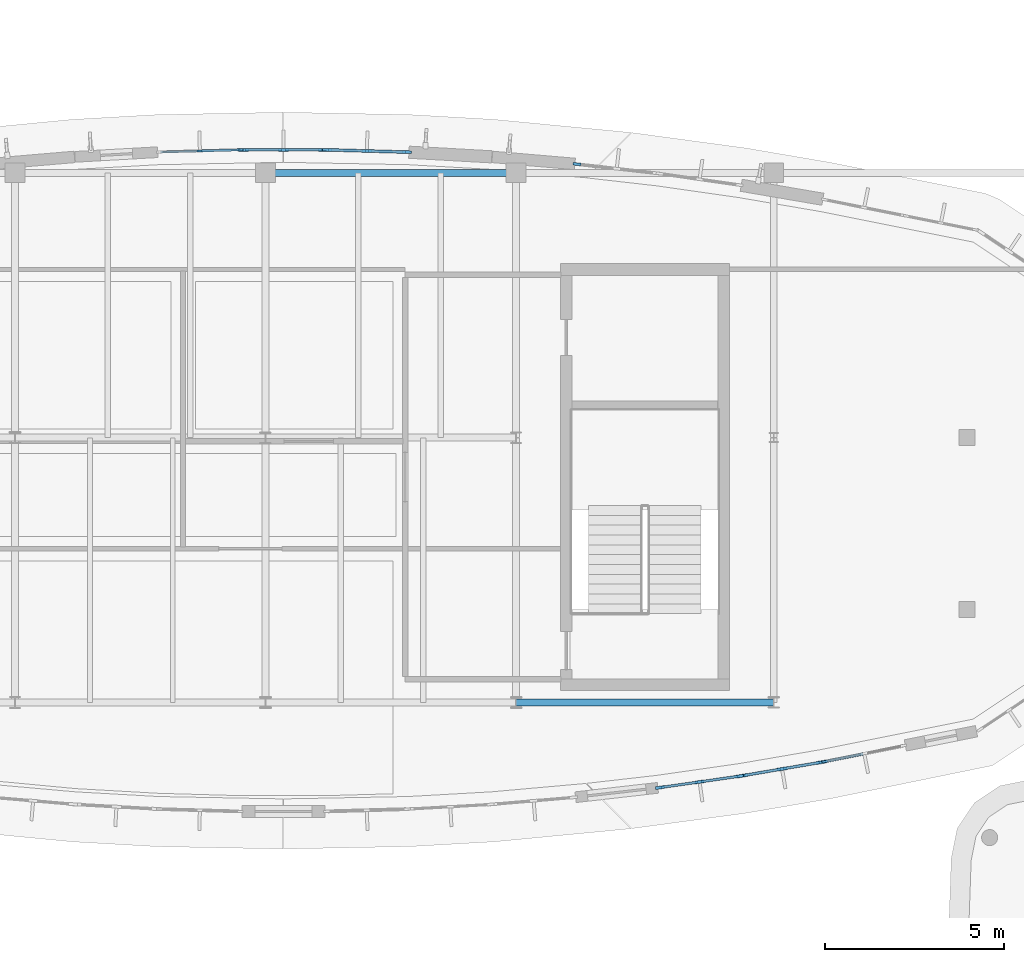
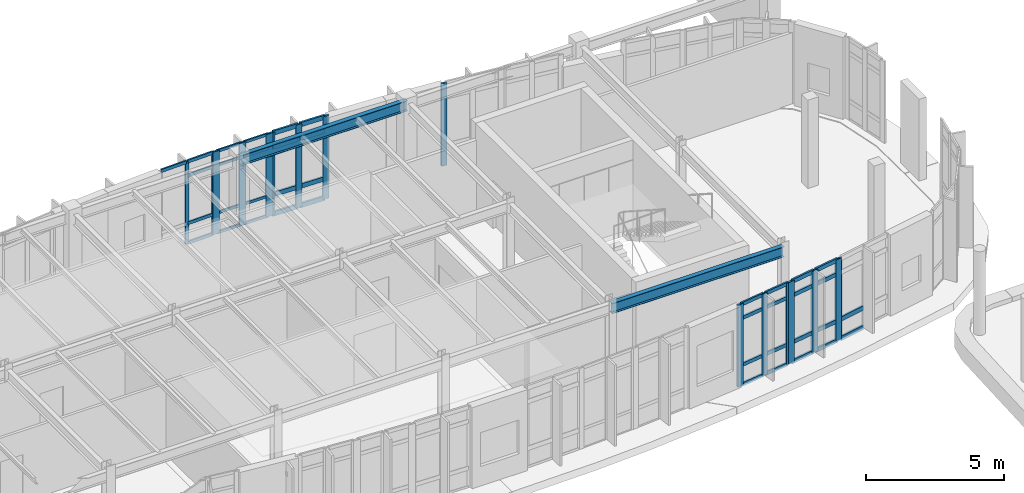
# One storey, part 38 of 111: 55 members, 2 beams, 7 elements without a shape of their own.
"""IFC4 building model written with IfcOpenShell, lengths in metres."""

from ifc_helpers import new_model, si_unit, direction, frame, origin, origin_2d, place, context, subcontext, project, spatial, rectangle, i_section, extrude, material, material_profile, profile_set, type_object, element, aggregate, save


model = new_model("IFC4")

# Units and contexts
model_context = context("Model", 3, precision=1e-05, world=origin(), true_north=direction((0.0, 1.0)))
body_context = subcontext(model_context, "Body", "Model", "MODEL_VIEW")
ifc_project = project(units=[si_unit("LENGTHUNIT", "METRE"), si_unit("AREAUNIT", "SQUARE_METRE"), si_unit("VOLUMEUNIT", "CUBIC_METRE"), si_unit("PLANEANGLEUNIT", "RADIAN"), si_unit("MASSUNIT", "GRAM", prefix="KILO")], contexts=[model_context])

# Site, building, storey
site_placement = place(None, origin())
site = spatial("IfcSite", under=ifc_project, at=site_placement, CompositionType="ELEMENT")
building_placement = place(site_placement, origin())
building = spatial("IfcBuilding", under=site, at=building_placement, Name="Corveleigh Park Community Centre", CompositionType="ELEMENT")
storey_placement = place(building_placement, frame((0.0, 0.0, 4.800048828125)))
storey = spatial("IfcBuildingStorey", under=building, at=storey_placement, Name="L01", CompositionType="ELEMENT", Elevation=4.800048828125)

# Beams
ifc_material_1 = material(Name="Steel S355", Category="steel")
ifc_material_profile_1 = material_profile(ifc_material_1, i_section(OverallWidth=0.19140625, OverallDepth=0.4599609375, WebThickness=0.010009765625, FlangeThickness=0.01611328125, at=origin_2d()), Name="UKB 457x191x82", Category="steel")
ifc_profile_set_1 = profile_set([ifc_material_profile_1], Name="Steel S355")
beam_type = type_object("IfcBeamType", Name="BM-STL-UKB457x82", PredefinedType="BEAM", material=ifc_profile_set_1)
beam_1_placement = place(storey_placement, frame((39.205078125, 78.0, 3.427001953125), z_axis=(1.0, 0.0, 0.0), x_axis=(0.0, 1.0, 0.0)))
element("IfcBeam", 1, at=beam_1_placement, inside=storey, type_object=beam_type, Name="V2 Studio Girder X", PredefinedType="BEAM", context=body_context, shape_type="SweptSolid", body=[
    extrude(i_section(OverallWidth=0.19140625, OverallDepth=0.4599609375, WebThickness=0.010009765625, FlangeThickness=0.01611328125, at=origin_2d()), origin(), (0.0, 0.0, 1.0), 7.18994140625),
])
beam_2_placement = place(storey_placement, frame((32.205078125, 92.800048828125, 3.427001953125), z_axis=(1.0, 0.0, 0.0), x_axis=(0.0, 1.0, 0.0)))
element("IfcBeam", 2, at=beam_2_placement, inside=storey, type_object=beam_type, Name="V2 Studio Girder X", PredefinedType="BEAM", context=body_context, shape_type="SweptSolid", body=[
    extrude(i_section(OverallWidth=0.19140625, OverallDepth=0.4599609375, WebThickness=0.010009765625, FlangeThickness=0.01611328125, at=origin_2d()), origin(), (0.0, 0.0, 1.0), 6.989990234375),
])

# Curtain wall, member
ifc_material_2 = material(Name="Anodised aluminium 6063-T6", Category="aluminium")
curtain_wall_type = type_object("IfcCurtainWallType", Name="CW-SYS-V2-HALL", PredefinedType="NOTDEFINED", material=ifc_material_2)
curtain_wall_1_placement = place(storey_placement, origin())
curtain_wall_1 = element("IfcCurtainWall", 3, at=curtain_wall_1_placement, inside=storey, type_object=curtain_wall_type, Name="V2 L01 Curtain Wall 205", PredefinedType="NOTDEFINED")
ifc_material_profile_2 = material_profile(ifc_material_2, rectangle(XDim=0.06005859375, YDim=0.159912109375, at=origin_2d()), Name="ALU-M60x160", Category="aluminium")
ifc_profile_set_2 = profile_set([ifc_material_profile_2], Name="Anodised aluminium 6063-T6")
member_type_1 = type_object("IfcMemberType", Name="CWM-60x160", PredefinedType="MULLION", material=ifc_profile_set_2)
member_1_placement = place(storey_placement, frame((47.822509765625, 76.347900390625, 0.0), z_axis=(0.0, 0.0, 1.0), x_axis=(0.197111378544, -0.980381101638, 0.0)))
member_1 = element("IfcMember", 4, at=member_1_placement, type_object=member_type_1, Name="CW04 mullion 3", PredefinedType="MULLION", context=body_context, shape_type="SweptSolid", body=[
    extrude(rectangle(XDim=0.06005859375, YDim=0.159912109375, at=origin_2d()), origin(), (0.0, 0.0, 1.0), 3.619873046875),
])

# Curtain wall, members
curtain_wall_2_placement = place(storey_placement, origin())
curtain_wall_2 = element("IfcCurtainWall", 5, at=curtain_wall_2_placement, inside=storey, type_object=curtain_wall_type, Name="V2 L01 Curtain Wall 217", PredefinedType="NOTDEFINED")
member_2_placement = place(storey_placement, frame((30.366455078125, 93.410888671875, 0.0), z_axis=(0.0, 0.0, 1.0), x_axis=(-0.028498139871, 0.999593845531, 0.0)))
member_2 = element("IfcMember", 6, at=member_2_placement, type_object=member_type_1, Name="CW04 mullion 2", PredefinedType="MULLION", context=body_context, shape_type="SweptSolid", body=[
    extrude(rectangle(XDim=0.06005859375, YDim=0.159912109375, at=origin_2d()), origin(), (0.0, 0.0, 1.0), 3.656982421875),
])
member_3_placement = place(storey_placement, frame((31.493896484375, 93.443115234375, 0.0), z_axis=(0.0, 0.0, 1.0), x_axis=(-0.028498139871, 0.999593845531, 0.0)))
member_3 = element("IfcMember", 7, at=member_3_placement, type_object=member_type_1, Name="CW04 mullion 3", PredefinedType="MULLION", context=body_context, shape_type="SweptSolid", body=[
    extrude(rectangle(XDim=0.06005859375, YDim=0.159912109375, at=origin_2d()), origin(), (0.0, 0.0, 1.0), 3.656982421875),
])

# Curtain wall, member
curtain_wall_3_placement = place(storey_placement, origin())
curtain_wall_3 = element("IfcCurtainWall", 8, at=curtain_wall_3_placement, inside=storey, type_object=curtain_wall_type, Name="V2 L01 Curtain Wall 214", PredefinedType="NOTDEFINED")
ifc_material_profile_3 = material_profile(ifc_material_2, rectangle(XDim=0.074951171875, YDim=0.219970703125, at=origin_2d()), Name="ALU-M75x220", Category="aluminium")
ifc_profile_set_3 = profile_set([ifc_material_profile_3], Name="Anodised aluminium 6063-T6")
member_type_2 = type_object("IfcMemberType", Name="CWM-75x220", PredefinedType="MULLION", material=ifc_profile_set_3)
member_4_placement = place(storey_placement, frame((40.9013671875, 93.042724609375, 0.0), z_axis=(0.0, 0.0, 1.0), x_axis=(0.113132523128, 0.99357990731, 0.0)))
member_4 = element("IfcMember", 9, at=member_4_placement, type_object=member_type_2, Name="CW04 mullion 1", PredefinedType="MULLION", context=body_context, shape_type="SweptSolid", body=[
    extrude(rectangle(XDim=0.074951171875, YDim=0.219970703125, at=origin_2d()), origin(), (0.0, 0.0, 1.0), 3.656982421875),
])
aggregate(curtain_wall_3, [member_4])

# Curtain wall, members
curtain_wall_4_placement = place(storey_placement, origin())
curtain_wall_4 = element("IfcCurtainWall", 10, at=curtain_wall_4_placement, inside=storey, type_object=curtain_wall_type, Name="V2 L01 Curtain Wall 203", PredefinedType="NOTDEFINED")
ifc_material_profile_4 = material_profile(ifc_material_2, rectangle(XDim=0.080078125, YDim=0.25, at=origin_2d()), Name="ALU-M80x250", Category="aluminium")
ifc_profile_set_4 = profile_set([ifc_material_profile_4], Name="Anodised aluminium 6063-T6")
member_type_3 = type_object("IfcMemberType", Name="CWM-80x250", PredefinedType="MULLION", material=ifc_profile_set_4)
member_5_placement = place(storey_placement, frame((45.435302734375, 75.939453125, 0.0), z_axis=(0.0, 0.0, 1.0), x_axis=(0.141663216042, -0.989914912111, 0.0)))
member_5 = element("IfcMember", 11, at=member_5_placement, type_object=member_type_3, Name="CW04 mullion 1", PredefinedType="MULLION", context=body_context, shape_type="SweptSolid", body=[
    extrude(rectangle(XDim=0.080078125, YDim=0.25, at=origin_2d()), origin(), (0.0, 0.0, 1.0), 3.619873046875),
])
member_6_placement = place(storey_placement, frame((44.3291015625, 75.781005859375, 0.0), z_axis=(0.0, 0.0, 1.0), x_axis=(0.141663216042, -0.989914912111, 0.0)))
member_6 = element("IfcMember", 12, at=member_6_placement, type_object=member_type_3, Name="CW04 mullion 2", PredefinedType="MULLION", context=body_context, shape_type="SweptSolid", body=[
    extrude(rectangle(XDim=0.080078125, YDim=0.25, at=origin_2d()), origin(), (0.0, 0.0, 1.0), 3.619873046875),
])
member_7_placement = place(storey_placement, frame((43.22265625, 75.62255859375, 0.0), z_axis=(0.0, 0.0, 1.0), x_axis=(0.141663216042, -0.989914912111, 0.0)))
member_7 = element("IfcMember", 13, at=member_7_placement, type_object=member_type_3, Name="CW04 mullion 3", PredefinedType="MULLION", context=body_context, shape_type="SweptSolid", body=[
    extrude(rectangle(XDim=0.080078125, YDim=0.25, at=origin_2d()), origin(), (0.0, 0.0, 1.0), 3.619873046875),
])

curtain_wall_5_placement = place(storey_placement, origin())
curtain_wall_5 = element("IfcCurtainWall", 14, at=curtain_wall_5_placement, inside=storey, type_object=curtain_wall_type, Name="V2 L01 Curtain Wall 215", PredefinedType="NOTDEFINED")
member_8_placement = place(storey_placement, frame((33.916015625, 93.44287109375, 0.0), z_axis=(0.0, 0.0, 1.0), x_axis=(0.028498139871, 0.999593845531, 0.0)))
member_8 = element("IfcMember", 15, at=member_8_placement, type_object=member_type_3, Name="CW04 mullion 1", PredefinedType="MULLION", context=body_context, shape_type="SweptSolid", body=[
    extrude(rectangle(XDim=0.080078125, YDim=0.25, at=origin_2d()), origin(), (0.0, 0.0, 1.0), 3.656982421875),
])
member_9_placement = place(storey_placement, frame((35.033447265625, 93.410888671875, 0.0), z_axis=(0.0, 0.0, 1.0), x_axis=(0.028498139871, 0.999593845531, 0.0)))
member_9 = element("IfcMember", 16, at=member_9_placement, type_object=member_type_3, Name="CW04 mullion 2", PredefinedType="MULLION", context=body_context, shape_type="SweptSolid", body=[
    extrude(rectangle(XDim=0.080078125, YDim=0.25, at=origin_2d()), origin(), (0.0, 0.0, 1.0), 3.656982421875),
])
member_10_placement = place(storey_placement, frame((36.151123046875, 93.379150390625, 0.0), z_axis=(0.0, 0.0, 1.0), x_axis=(0.028498139871, 0.999593845531, 0.0)))
member_10 = element("IfcMember", 17, at=member_10_placement, type_object=member_type_3, Name="CW04 mullion 3", PredefinedType="MULLION", context=body_context, shape_type="SweptSolid", body=[
    extrude(rectangle(XDim=0.080078125, YDim=0.25, at=origin_2d()), origin(), (0.0, 0.0, 1.0), 3.656982421875),
])

curtain_wall_6_placement = place(storey_placement, origin())
curtain_wall_6 = element("IfcCurtainWall", 18, at=curtain_wall_6_placement, inside=storey, type_object=curtain_wall_type, Name="V2 L01 Curtain Wall 204", PredefinedType="NOTDEFINED")
ifc_material_profile_5 = material_profile(ifc_material_2, rectangle(XDim=0.0849609375, YDim=0.27490234375, at=origin_2d()), Name="ALU-M85x275", Category="aluminium")
ifc_profile_set_5 = profile_set([ifc_material_profile_5], Name="Anodised aluminium 6063-T6")
member_type_4 = type_object("IfcMemberType", Name="CWM-85x275", PredefinedType="MULLION", material=ifc_profile_set_5)
member_11_placement = place(storey_placement, frame((47.733154296875, 76.330810546875, 0.0), z_axis=(0.0, 0.0, 1.0), x_axis=(0.16846025177, -0.985708447551, 0.0)))
member_11 = element("IfcMember", 19, at=member_11_placement, type_object=member_type_4, Name="CW04 mullion 1", PredefinedType="MULLION", context=body_context, shape_type="SweptSolid", body=[
    extrude(rectangle(XDim=0.0849609375, YDim=0.27490234375, at=origin_2d()), origin(), (0.0, 0.0, 1.0), 3.619873046875),
])
member_12_placement = place(storey_placement, frame((46.634033203125, 76.14306640625, 0.0), z_axis=(0.0, 0.0, 1.0), x_axis=(0.16846025177, -0.985708447551, 0.0)))
member_12 = element("IfcMember", 20, at=member_12_placement, type_object=member_type_4, Name="CW04 mullion 2", PredefinedType="MULLION", context=body_context, shape_type="SweptSolid", body=[
    extrude(rectangle(XDim=0.0849609375, YDim=0.27490234375, at=origin_2d()), origin(), (0.0, 0.0, 1.0), 3.619873046875),
])
member_13_placement = place(storey_placement, frame((45.534912109375, 75.955078125, 0.0), z_axis=(0.0, 0.0, 1.0), x_axis=(0.16846025177, -0.985708447551, 0.0)))
member_13 = element("IfcMember", 21, at=member_13_placement, type_object=member_type_4, Name="CW04 mullion 3", PredefinedType="MULLION", context=body_context, shape_type="SweptSolid", body=[
    extrude(rectangle(XDim=0.0849609375, YDim=0.27490234375, at=origin_2d()), origin(), (0.0, 0.0, 1.0), 3.619873046875),
])

curtain_wall_7_placement = place(storey_placement, origin())
curtain_wall_7 = element("IfcCurtainWall", 22, at=curtain_wall_7_placement, inside=storey, type_object=curtain_wall_type, Name="V2 L01 Curtain Wall 216", PredefinedType="NOTDEFINED")
member_14_placement = place(storey_placement, frame((31.58447265625, 93.444091796875, 0.0), z_axis=(0.0, 0.0, 1.0), x_axis=(0.0, 1.0, 0.0)))
member_14 = element("IfcMember", 23, at=member_14_placement, type_object=member_type_4, Name="CW04 mullion 1", PredefinedType="MULLION", context=body_context, shape_type="SweptSolid", body=[
    extrude(rectangle(XDim=0.0849609375, YDim=0.27490234375, at=origin_2d()), origin(), (0.0, 0.0, 1.0), 3.656982421875),
])
member_15_placement = place(storey_placement, frame((32.699951171875, 93.444091796875, 0.0), z_axis=(0.0, 0.0, 1.0), x_axis=(0.0, 1.0, 0.0)))
member_15 = element("IfcMember", 24, at=member_15_placement, type_object=member_type_4, Name="CW04 mullion 2", PredefinedType="MULLION", context=body_context, shape_type="SweptSolid", body=[
    extrude(rectangle(XDim=0.0849609375, YDim=0.27490234375, at=origin_2d()), origin(), (0.0, 0.0, 1.0), 3.656982421875),
])
member_16_placement = place(storey_placement, frame((33.8154296875, 93.444091796875, 0.0), z_axis=(0.0, 0.0, 1.0), x_axis=(0.0, 1.0, 0.0)))
member_16 = element("IfcMember", 25, at=member_16_placement, type_object=member_type_4, Name="CW04 mullion 3", PredefinedType="MULLION", context=body_context, shape_type="SweptSolid", body=[
    extrude(rectangle(XDim=0.0849609375, YDim=0.27490234375, at=origin_2d()), origin(), (0.0, 0.0, 1.0), 3.656982421875),
])
ifc_material_profile_6 = material_profile(ifc_material_2, rectangle(XDim=0.06005859375, YDim=0.1201171875, at=origin_2d()), Name="ALU-T60x120", Category="aluminium")
ifc_profile_set_6 = profile_set([ifc_material_profile_6], Name="Anodised aluminium 6063-T6")
member_type_5 = type_object("IfcMemberType", Name="CWT-60x120", PredefinedType="USERDEFINED", material=ifc_profile_set_6)
member_17_placement = place(storey_placement, frame((31.626953125, 93.444091796875, 0.030029296875), z_axis=(1.0, 0.0, 0.0), x_axis=(0.0, 1.0, 0.0)))
member_17 = element("IfcMember", 26, at=member_17_placement, type_object=member_type_5, Name="CW04 transom 1.1", ObjectType="TRANSOM", PredefinedType="USERDEFINED", context=body_context, shape_type="SweptSolid", body=[
    extrude(rectangle(XDim=0.06005859375, YDim=0.1201171875, at=origin_2d()), origin(), (0.0, 0.0, 1.0), 1.030517578125),
])
member_18_placement = place(storey_placement, frame((31.626953125, 93.444091796875, 0.89990234375), z_axis=(1.0, 0.0, 0.0), x_axis=(0.0, 1.0, 0.0)))
member_18 = element("IfcMember", 27, at=member_18_placement, type_object=member_type_5, Name="CW04 transom 1.2", ObjectType="TRANSOM", PredefinedType="USERDEFINED", context=body_context, shape_type="SweptSolid", body=[
    extrude(rectangle(XDim=0.06005859375, YDim=0.1201171875, at=origin_2d()), origin(), (0.0, 0.0, 1.0), 1.030517578125),
])
member_19_placement = place(storey_placement, frame((31.626953125, 93.444091796875, 3.0068359375), z_axis=(1.0, 0.0, 0.0), x_axis=(0.0, 1.0, 0.0)))
member_19 = element("IfcMember", 28, at=member_19_placement, type_object=member_type_5, Name="CW04 transom 1.3", ObjectType="TRANSOM", PredefinedType="USERDEFINED", context=body_context, shape_type="SweptSolid", body=[
    extrude(rectangle(XDim=0.06005859375, YDim=0.1201171875, at=origin_2d()), origin(), (0.0, 0.0, 1.0), 1.030517578125),
])
member_20_placement = place(storey_placement, frame((31.626953125, 93.444091796875, 3.626953125), z_axis=(1.0, 0.0, 0.0), x_axis=(0.0, 1.0, 0.0)))
member_20 = element("IfcMember", 29, at=member_20_placement, type_object=member_type_5, Name="CW04 transom 1.4", ObjectType="TRANSOM", PredefinedType="USERDEFINED", context=body_context, shape_type="SweptSolid", body=[
    extrude(rectangle(XDim=0.06005859375, YDim=0.1201171875, at=origin_2d()), origin(), (0.0, 0.0, 1.0), 1.030517578125),
])
member_21_placement = place(storey_placement, frame((32.742431640625, 93.444091796875, 0.030029296875), z_axis=(1.0, 0.0, 0.0), x_axis=(0.0, 1.0, 0.0)))
member_21 = element("IfcMember", 30, at=member_21_placement, type_object=member_type_5, Name="CW04 transom 2.1", ObjectType="TRANSOM", PredefinedType="USERDEFINED", context=body_context, shape_type="SweptSolid", body=[
    extrude(rectangle(XDim=0.06005859375, YDim=0.1201171875, at=origin_2d()), origin(), (0.0, 0.0, 1.0), 1.030517578125),
])
member_22_placement = place(storey_placement, frame((32.742431640625, 93.444091796875, 0.89990234375), z_axis=(1.0, 0.0, 0.0), x_axis=(0.0, 1.0, 0.0)))
member_22 = element("IfcMember", 31, at=member_22_placement, type_object=member_type_5, Name="CW04 transom 2.2", ObjectType="TRANSOM", PredefinedType="USERDEFINED", context=body_context, shape_type="SweptSolid", body=[
    extrude(rectangle(XDim=0.06005859375, YDim=0.1201171875, at=origin_2d()), origin(), (0.0, 0.0, 1.0), 1.030517578125),
])
member_23_placement = place(storey_placement, frame((32.742431640625, 93.444091796875, 3.0068359375), z_axis=(1.0, 0.0, 0.0), x_axis=(0.0, 1.0, 0.0)))
member_23 = element("IfcMember", 32, at=member_23_placement, type_object=member_type_5, Name="CW04 transom 2.3", ObjectType="TRANSOM", PredefinedType="USERDEFINED", context=body_context, shape_type="SweptSolid", body=[
    extrude(rectangle(XDim=0.06005859375, YDim=0.1201171875, at=origin_2d()), origin(), (0.0, 0.0, 1.0), 1.030517578125),
])
member_24_placement = place(storey_placement, frame((32.742431640625, 93.444091796875, 3.626953125), z_axis=(1.0, 0.0, 0.0), x_axis=(0.0, 1.0, 0.0)))
member_24 = element("IfcMember", 33, at=member_24_placement, type_object=member_type_5, Name="CW04 transom 2.4", ObjectType="TRANSOM", PredefinedType="USERDEFINED", context=body_context, shape_type="SweptSolid", body=[
    extrude(rectangle(XDim=0.06005859375, YDim=0.1201171875, at=origin_2d()), origin(), (0.0, 0.0, 1.0), 1.030517578125),
])
aggregate(curtain_wall_7, [member_14, member_15, member_16, member_17, member_18, member_19, member_20, member_21, member_22, member_23, member_24])

# Member
ifc_material_profile_7 = material_profile(ifc_material_2, rectangle(XDim=0.06494140625, YDim=0.139892578125, at=origin_2d()), Name="ALU-T65x140", Category="aluminium")
ifc_profile_set_7 = profile_set([ifc_material_profile_7], Name="Anodised aluminium 6063-T6")
member_type_6 = type_object("IfcMemberType", Name="CWT-65x140", PredefinedType="USERDEFINED", material=ifc_profile_set_7)
member_25_placement = place(storey_placement, frame((29.26904296875, 93.379638671875, 3.62451171875), z_axis=(0.999591526804, 0.028579355181, 0.0), x_axis=(-0.028579355181, 0.999591526804, 0.0)))
member_25 = element("IfcMember", 34, at=member_25_placement, type_object=member_type_6, Name="CW04 transom 1.4", ObjectType="TRANSOM", PredefinedType="USERDEFINED", context=body_context, shape_type="SweptSolid", body=[
    extrude(rectangle(XDim=0.06494140625, YDim=0.139892578125, at=origin_2d()), origin(), (0.0, 0.0, 1.0), 1.06787109375),
])

member_26_placement = place(storey_placement, frame((30.396484375, 93.411865234375, 0.032470703125), z_axis=(0.999591713484, 0.028572825105, 0.0), x_axis=(-0.028572825105, 0.999591713484, 0.0)))
member_26 = element("IfcMember", 35, at=member_26_placement, type_object=member_type_6, Name="CW04 transom 2.1", ObjectType="TRANSOM", PredefinedType="USERDEFINED", context=body_context, shape_type="SweptSolid", body=[
    extrude(rectangle(XDim=0.06494140625, YDim=0.139892578125, at=origin_2d()), origin(), (0.0, 0.0, 1.0), 1.068115234375),
])

member_27_placement = place(storey_placement, frame((30.396484375, 93.411865234375, 0.89990234375), z_axis=(0.999591713484, 0.028572825105, 0.0), x_axis=(-0.028572825105, 0.999591713484, 0.0)))
member_27 = element("IfcMember", 36, at=member_27_placement, type_object=member_type_6, Name="CW04 transom 2.2", ObjectType="TRANSOM", PredefinedType="USERDEFINED", context=body_context, shape_type="SweptSolid", body=[
    extrude(rectangle(XDim=0.06494140625, YDim=0.139892578125, at=origin_2d()), origin(), (0.0, 0.0, 1.0), 1.068115234375),
])

member_28_placement = place(storey_placement, frame((30.396484375, 93.411865234375, 3.0068359375), z_axis=(0.999591713484, 0.028572825105, 0.0), x_axis=(-0.028572825105, 0.999591713484, 0.0)))
member_28 = element("IfcMember", 37, at=member_28_placement, type_object=member_type_6, Name="CW04 transom 2.3", ObjectType="TRANSOM", PredefinedType="USERDEFINED", context=body_context, shape_type="SweptSolid", body=[
    extrude(rectangle(XDim=0.06494140625, YDim=0.139892578125, at=origin_2d()), origin(), (0.0, 0.0, 1.0), 1.068115234375),
])

member_29_placement = place(storey_placement, frame((30.396484375, 93.411865234375, 3.62451171875), z_axis=(0.999591713484, 0.028572825105, 0.0), x_axis=(-0.028572825105, 0.999591713484, 0.0)))
member_29 = element("IfcMember", 38, at=member_29_placement, type_object=member_type_6, Name="CW04 transom 2.4", ObjectType="TRANSOM", PredefinedType="USERDEFINED", context=body_context, shape_type="SweptSolid", body=[
    extrude(rectangle(XDim=0.06494140625, YDim=0.139892578125, at=origin_2d()), origin(), (0.0, 0.0, 1.0), 1.068115234375),
])

aggregate(curtain_wall_2, [member_2, member_3, member_25, member_26, member_27, member_28, member_29])

ifc_material_profile_8 = material_profile(ifc_material_2, rectangle(XDim=0.070068359375, YDim=0.155029296875, at=origin_2d()), Name="ALU-T70x155", Category="aluminium")
ifc_profile_set_8 = profile_set([ifc_material_profile_8], Name="Anodised aluminium 6063-T6")
member_type_7 = type_object("IfcMemberType", Name="CWT-70x155", PredefinedType="USERDEFINED", material=ifc_profile_set_8)
member_30_placement = place(storey_placement, frame((45.395751953125, 75.93359375, 0.034912109375), z_axis=(-0.98991652449, -0.141651948596, 0.0), x_axis=(0.141651948596, -0.98991652449, 0.0)))
member_30 = element("IfcMember", 39, at=member_30_placement, type_object=member_type_7, Name="CW04 transom 1.1", ObjectType="TRANSOM", PredefinedType="USERDEFINED", context=body_context, shape_type="SweptSolid", body=[
    extrude(rectangle(XDim=0.070068359375, YDim=0.155029296875, at=origin_2d()), origin(), (0.0, 0.0, 1.0), 1.03759765625),
])

member_31_placement = place(storey_placement, frame((45.395751953125, 75.93359375, 0.89990234375), z_axis=(-0.98991652449, -0.141651948596, 0.0), x_axis=(0.141651948596, -0.98991652449, 0.0)))
member_31 = element("IfcMember", 40, at=member_31_placement, type_object=member_type_7, Name="CW04 transom 1.2", ObjectType="TRANSOM", PredefinedType="USERDEFINED", context=body_context, shape_type="SweptSolid", body=[
    extrude(rectangle(XDim=0.070068359375, YDim=0.155029296875, at=origin_2d()), origin(), (0.0, 0.0, 1.0), 1.03759765625),
])

member_32_placement = place(storey_placement, frame((45.395751953125, 75.93359375, 2.969970703125), z_axis=(-0.98991652449, -0.141651948596, 0.0), x_axis=(0.141651948596, -0.98991652449, 0.0)))
member_32 = element("IfcMember", 41, at=member_32_placement, type_object=member_type_7, Name="CW04 transom 1.3", ObjectType="TRANSOM", PredefinedType="USERDEFINED", context=body_context, shape_type="SweptSolid", body=[
    extrude(rectangle(XDim=0.070068359375, YDim=0.155029296875, at=origin_2d()), origin(), (0.0, 0.0, 1.0), 1.03759765625),
])

member_33_placement = place(storey_placement, frame((45.395751953125, 75.93359375, 3.5849609375), z_axis=(-0.98991652449, -0.141651948596, 0.0), x_axis=(0.141651948596, -0.98991652449, 0.0)))
member_33 = element("IfcMember", 42, at=member_33_placement, type_object=member_type_7, Name="CW04 transom 1.4", ObjectType="TRANSOM", PredefinedType="USERDEFINED", context=body_context, shape_type="SweptSolid", body=[
    extrude(rectangle(XDim=0.070068359375, YDim=0.155029296875, at=origin_2d()), origin(), (0.0, 0.0, 1.0), 1.03759765625),
])

member_34_placement = place(storey_placement, frame((44.289306640625, 75.775390625, 0.034912109375), z_axis=(-0.98991652449, -0.141651948596, 0.0), x_axis=(0.141651948596, -0.98991652449, 0.0)))
member_34 = element("IfcMember", 43, at=member_34_placement, type_object=member_type_7, Name="CW04 transom 2.1", ObjectType="TRANSOM", PredefinedType="USERDEFINED", context=body_context, shape_type="SweptSolid", body=[
    extrude(rectangle(XDim=0.070068359375, YDim=0.155029296875, at=origin_2d()), origin(), (0.0, 0.0, 1.0), 1.03759765625),
])

member_35_placement = place(storey_placement, frame((44.289306640625, 75.775390625, 0.89990234375), z_axis=(-0.98991652449, -0.141651948596, 0.0), x_axis=(0.141651948596, -0.98991652449, 0.0)))
member_35 = element("IfcMember", 44, at=member_35_placement, type_object=member_type_7, Name="CW04 transom 2.2", ObjectType="TRANSOM", PredefinedType="USERDEFINED", context=body_context, shape_type="SweptSolid", body=[
    extrude(rectangle(XDim=0.070068359375, YDim=0.155029296875, at=origin_2d()), origin(), (0.0, 0.0, 1.0), 1.03759765625),
])

member_36_placement = place(storey_placement, frame((44.289306640625, 75.775390625, 2.969970703125), z_axis=(-0.98991652449, -0.141651948596, 0.0), x_axis=(0.141651948596, -0.98991652449, 0.0)))
member_36 = element("IfcMember", 45, at=member_36_placement, type_object=member_type_7, Name="CW04 transom 2.3", ObjectType="TRANSOM", PredefinedType="USERDEFINED", context=body_context, shape_type="SweptSolid", body=[
    extrude(rectangle(XDim=0.070068359375, YDim=0.155029296875, at=origin_2d()), origin(), (0.0, 0.0, 1.0), 1.03759765625),
])

member_37_placement = place(storey_placement, frame((44.289306640625, 75.775390625, 3.5849609375), z_axis=(-0.98991652449, -0.141651948596, 0.0), x_axis=(0.141651948596, -0.98991652449, 0.0)))
member_37 = element("IfcMember", 46, at=member_37_placement, type_object=member_type_7, Name="CW04 transom 2.4", ObjectType="TRANSOM", PredefinedType="USERDEFINED", context=body_context, shape_type="SweptSolid", body=[
    extrude(rectangle(XDim=0.070068359375, YDim=0.155029296875, at=origin_2d()), origin(), (0.0, 0.0, 1.0), 1.03759765625),
])

aggregate(curtain_wall_4, [member_5, member_6, member_7, member_30, member_31, member_32, member_33, member_34, member_35, member_36, member_37])

ifc_material_profile_9 = material_profile(ifc_material_2, rectangle(XDim=0.074951171875, YDim=0.175048828125, at=origin_2d()), Name="ALU-T75x175", Category="aluminium")
ifc_profile_set_9 = profile_set([ifc_material_profile_9], Name="Anodised aluminium 6063-T6")
member_type_8 = type_object("IfcMemberType", Name="CWT-75x175", PredefinedType="USERDEFINED", material=ifc_profile_set_9)
member_38_placement = place(storey_placement, frame((47.691162109375, 76.32373046875, 0.037353515625), z_axis=(-0.985699961313, -0.168509899614, 0.0), x_axis=(0.168509899614, -0.985699961313, 0.0)))
member_38 = element("IfcMember", 47, at=member_38_placement, type_object=member_type_8, Name="CW04 transom 1.1", ObjectType="TRANSOM", PredefinedType="USERDEFINED", context=body_context, shape_type="SweptSolid", body=[
    extrude(rectangle(XDim=0.074951171875, YDim=0.175048828125, at=origin_2d()), origin(), (0.0, 0.0, 1.0), 1.030029296875),
])

member_39_placement = place(storey_placement, frame((47.691162109375, 76.32373046875, 0.89990234375), z_axis=(-0.985699961313, -0.168509899614, 0.0), x_axis=(0.168509899614, -0.985699961313, 0.0)))
member_39 = element("IfcMember", 48, at=member_39_placement, type_object=member_type_8, Name="CW04 transom 1.2", ObjectType="TRANSOM", PredefinedType="USERDEFINED", context=body_context, shape_type="SweptSolid", body=[
    extrude(rectangle(XDim=0.074951171875, YDim=0.175048828125, at=origin_2d()), origin(), (0.0, 0.0, 1.0), 1.030029296875),
])

member_40_placement = place(storey_placement, frame((47.691162109375, 76.32373046875, 2.969970703125), z_axis=(-0.985699961313, -0.168509899614, 0.0), x_axis=(0.168509899614, -0.985699961313, 0.0)))
member_40 = element("IfcMember", 49, at=member_40_placement, type_object=member_type_8, Name="CW04 transom 1.3", ObjectType="TRANSOM", PredefinedType="USERDEFINED", context=body_context, shape_type="SweptSolid", body=[
    extrude(rectangle(XDim=0.074951171875, YDim=0.175048828125, at=origin_2d()), origin(), (0.0, 0.0, 1.0), 1.030029296875),
])

member_41_placement = place(storey_placement, frame((47.691162109375, 76.32373046875, 3.58251953125), z_axis=(-0.985699961313, -0.168509899614, 0.0), x_axis=(0.168509899614, -0.985699961313, 0.0)))
member_41 = element("IfcMember", 50, at=member_41_placement, type_object=member_type_8, Name="CW04 transom 1.4", ObjectType="TRANSOM", PredefinedType="USERDEFINED", context=body_context, shape_type="SweptSolid", body=[
    extrude(rectangle(XDim=0.074951171875, YDim=0.175048828125, at=origin_2d()), origin(), (0.0, 0.0, 1.0), 1.030029296875),
])

member_42_placement = place(storey_placement, frame((46.592041015625, 76.1357421875, 0.037353515625), z_axis=(-0.985732588301, -0.168318936434, 0.0), x_axis=(0.168318936434, -0.985732588301, 0.0)))
member_42 = element("IfcMember", 51, at=member_42_placement, type_object=member_type_8, Name="CW04 transom 2.1", ObjectType="TRANSOM", PredefinedType="USERDEFINED", context=body_context, shape_type="SweptSolid", body=[
    extrude(rectangle(XDim=0.074951171875, YDim=0.175048828125, at=origin_2d()), origin(), (0.0, 0.0, 1.0), 1.02978515625),
])

member_43_placement = place(storey_placement, frame((46.592041015625, 76.1357421875, 0.89990234375), z_axis=(-0.985732588301, -0.168318936434, 0.0), x_axis=(0.168318936434, -0.985732588301, 0.0)))
member_43 = element("IfcMember", 52, at=member_43_placement, type_object=member_type_8, Name="CW04 transom 2.2", ObjectType="TRANSOM", PredefinedType="USERDEFINED", context=body_context, shape_type="SweptSolid", body=[
    extrude(rectangle(XDim=0.074951171875, YDim=0.175048828125, at=origin_2d()), origin(), (0.0, 0.0, 1.0), 1.02978515625),
])

member_44_placement = place(storey_placement, frame((46.592041015625, 76.1357421875, 2.969970703125), z_axis=(-0.985732588301, -0.168318936434, 0.0), x_axis=(0.168318936434, -0.985732588301, 0.0)))
member_44 = element("IfcMember", 53, at=member_44_placement, type_object=member_type_8, Name="CW04 transom 2.3", ObjectType="TRANSOM", PredefinedType="USERDEFINED", context=body_context, shape_type="SweptSolid", body=[
    extrude(rectangle(XDim=0.074951171875, YDim=0.175048828125, at=origin_2d()), origin(), (0.0, 0.0, 1.0), 1.02978515625),
])

member_45_placement = place(storey_placement, frame((46.592041015625, 76.1357421875, 3.58251953125), z_axis=(-0.985732588301, -0.168318936434, 0.0), x_axis=(0.168318936434, -0.985732588301, 0.0)))
member_45 = element("IfcMember", 54, at=member_45_placement, type_object=member_type_8, Name="CW04 transom 2.4", ObjectType="TRANSOM", PredefinedType="USERDEFINED", context=body_context, shape_type="SweptSolid", body=[
    extrude(rectangle(XDim=0.074951171875, YDim=0.175048828125, at=origin_2d()), origin(), (0.0, 0.0, 1.0), 1.02978515625),
])

aggregate(curtain_wall_6, [member_11, member_12, member_13, member_38, member_39, member_40, member_41, member_42, member_43, member_44, member_45])

ifc_material_profile_10 = material_profile(ifc_material_2, rectangle(XDim=0.080078125, YDim=0.195068359375, at=origin_2d()), Name="ALU-T80x195", Category="aluminium")
ifc_profile_set_10 = profile_set([ifc_material_profile_10], Name="Anodised aluminium 6063-T6")
member_type_9 = type_object("IfcMemberType", Name="CWT-80x195", PredefinedType="USERDEFINED", material=ifc_profile_set_10)
member_46_placement = place(storey_placement, frame((48.900146484375, 76.564697265625, 0.0400390625), z_axis=(-0.980351703898, -0.197257538931, 0.0), x_axis=(0.197257538931, -0.980351703898, 0.0)))
member_46 = element("IfcMember", 55, at=member_46_placement, type_object=member_type_9, Name="CW04 transom 2.1", ObjectType="TRANSOM", PredefinedType="USERDEFINED", context=body_context, shape_type="SweptSolid", body=[
    extrude(rectangle(XDim=0.080078125, YDim=0.195068359375, at=origin_2d()), origin(), (0.0, 0.0, 1.0), 1.0693359375),
])

member_47_placement = place(storey_placement, frame((48.900146484375, 76.564697265625, 0.89990234375), z_axis=(-0.980351703898, -0.197257538931, 0.0), x_axis=(0.197257538931, -0.980351703898, 0.0)))
member_47 = element("IfcMember", 56, at=member_47_placement, type_object=member_type_9, Name="CW04 transom 2.2", ObjectType="TRANSOM", PredefinedType="USERDEFINED", context=body_context, shape_type="SweptSolid", body=[
    extrude(rectangle(XDim=0.080078125, YDim=0.195068359375, at=origin_2d()), origin(), (0.0, 0.0, 1.0), 1.0693359375),
])

aggregate(curtain_wall_1, [member_1, member_46, member_47])

member_48_placement = place(storey_placement, frame((33.9560546875, 93.441650390625, 0.0400390625), z_axis=(0.999594768464, -0.028465748878, 0.0), x_axis=(0.028465748878, 0.999594768464, 0.0)))
member_48 = element("IfcMember", 57, at=member_48_placement, type_object=member_type_9, Name="CW04 transom 1.1", ObjectType="TRANSOM", PredefinedType="USERDEFINED", context=body_context, shape_type="SweptSolid", body=[
    extrude(rectangle(XDim=0.080078125, YDim=0.195068359375, at=origin_2d()), origin(), (0.0, 0.0, 1.0), 1.037841796875),
])

member_49_placement = place(storey_placement, frame((33.9560546875, 93.441650390625, 0.89990234375), z_axis=(0.999594768464, -0.028465748878, 0.0), x_axis=(0.028465748878, 0.999594768464, 0.0)))
member_49 = element("IfcMember", 58, at=member_49_placement, type_object=member_type_9, Name="CW04 transom 1.2", ObjectType="TRANSOM", PredefinedType="USERDEFINED", context=body_context, shape_type="SweptSolid", body=[
    extrude(rectangle(XDim=0.080078125, YDim=0.195068359375, at=origin_2d()), origin(), (0.0, 0.0, 1.0), 1.037841796875),
])

member_50_placement = place(storey_placement, frame((33.9560546875, 93.441650390625, 3.0068359375), z_axis=(0.999594768464, -0.028465748878, 0.0), x_axis=(0.028465748878, 0.999594768464, 0.0)))
member_50 = element("IfcMember", 59, at=member_50_placement, type_object=member_type_9, Name="CW04 transom 1.3", ObjectType="TRANSOM", PredefinedType="USERDEFINED", context=body_context, shape_type="SweptSolid", body=[
    extrude(rectangle(XDim=0.080078125, YDim=0.195068359375, at=origin_2d()), origin(), (0.0, 0.0, 1.0), 1.037841796875),
])

member_51_placement = place(storey_placement, frame((33.9560546875, 93.441650390625, 3.616943359375), z_axis=(0.999594768464, -0.028465748878, 0.0), x_axis=(0.028465748878, 0.999594768464, 0.0)))
member_51 = element("IfcMember", 60, at=member_51_placement, type_object=member_type_9, Name="CW04 transom 1.4", ObjectType="TRANSOM", PredefinedType="USERDEFINED", context=body_context, shape_type="SweptSolid", body=[
    extrude(rectangle(XDim=0.080078125, YDim=0.195068359375, at=origin_2d()), origin(), (0.0, 0.0, 1.0), 1.037841796875),
])

member_52_placement = place(storey_placement, frame((35.073486328125, 93.409912109375, 0.0400390625), z_axis=(0.999594959023, -0.02845905648, 0.0), x_axis=(0.02845905648, 0.999594959023, 0.0)))
member_52 = element("IfcMember", 61, at=member_52_placement, type_object=member_type_9, Name="CW04 transom 2.1", ObjectType="TRANSOM", PredefinedType="USERDEFINED", context=body_context, shape_type="SweptSolid", body=[
    extrude(rectangle(XDim=0.080078125, YDim=0.195068359375, at=origin_2d()), origin(), (0.0, 0.0, 1.0), 1.0380859375),
])

member_53_placement = place(storey_placement, frame((35.073486328125, 93.409912109375, 0.89990234375), z_axis=(0.999594959023, -0.02845905648, 0.0), x_axis=(0.02845905648, 0.999594959023, 0.0)))
member_53 = element("IfcMember", 62, at=member_53_placement, type_object=member_type_9, Name="CW04 transom 2.2", ObjectType="TRANSOM", PredefinedType="USERDEFINED", context=body_context, shape_type="SweptSolid", body=[
    extrude(rectangle(XDim=0.080078125, YDim=0.195068359375, at=origin_2d()), origin(), (0.0, 0.0, 1.0), 1.0380859375),
])

member_54_placement = place(storey_placement, frame((35.073486328125, 93.409912109375, 3.0068359375), z_axis=(0.999594959023, -0.02845905648, 0.0), x_axis=(0.02845905648, 0.999594959023, 0.0)))
member_54 = element("IfcMember", 63, at=member_54_placement, type_object=member_type_9, Name="CW04 transom 2.3", ObjectType="TRANSOM", PredefinedType="USERDEFINED", context=body_context, shape_type="SweptSolid", body=[
    extrude(rectangle(XDim=0.080078125, YDim=0.195068359375, at=origin_2d()), origin(), (0.0, 0.0, 1.0), 1.0380859375),
])

member_55_placement = place(storey_placement, frame((35.073486328125, 93.409912109375, 3.616943359375), z_axis=(0.999594959023, -0.02845905648, 0.0), x_axis=(0.02845905648, 0.999594959023, 0.0)))
member_55 = element("IfcMember", 64, at=member_55_placement, type_object=member_type_9, Name="CW04 transom 2.4", ObjectType="TRANSOM", PredefinedType="USERDEFINED", context=body_context, shape_type="SweptSolid", body=[
    extrude(rectangle(XDim=0.080078125, YDim=0.195068359375, at=origin_2d()), origin(), (0.0, 0.0, 1.0), 1.0380859375),
])

aggregate(curtain_wall_5, [member_8, member_9, member_10, member_48, member_49, member_50, member_51, member_52, member_53, member_54, member_55])

save(model, "model.ifc")
